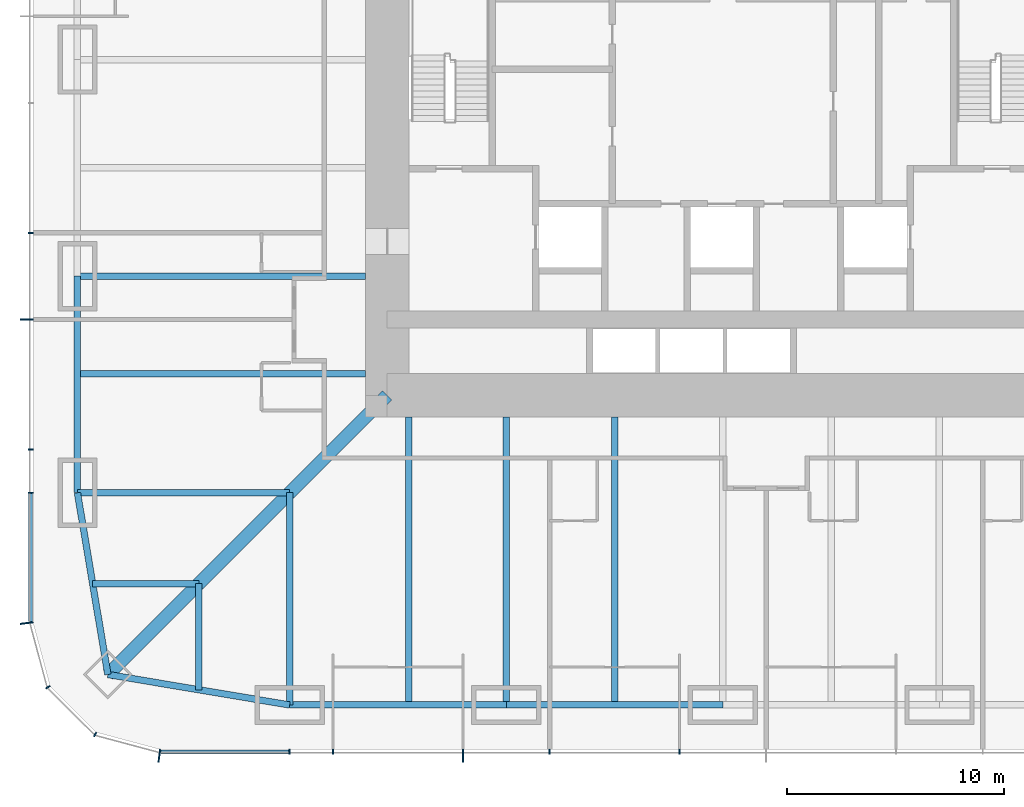
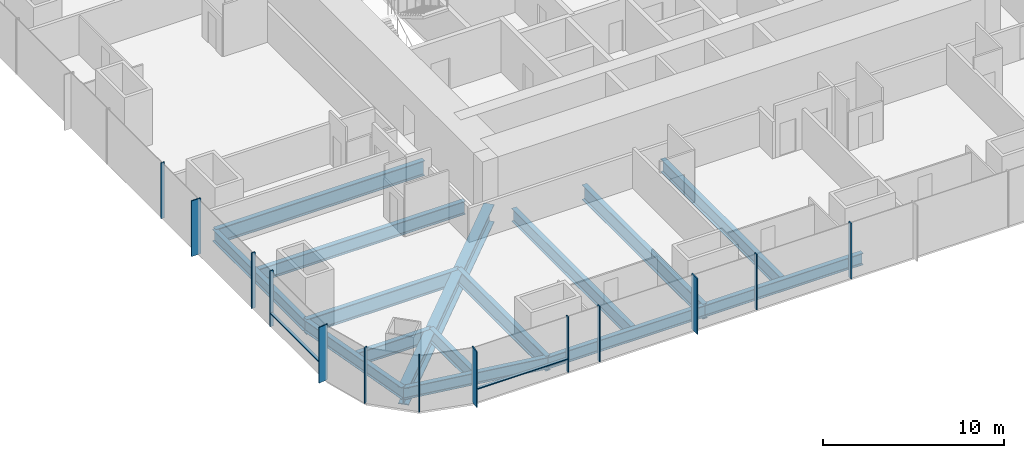
# One storey, part 2 of 20: 15 beams, 15 members, 3 elements without a shape of their own.
"""IFC4 building model written with IfcOpenShell, lengths in metres."""

from ifc_helpers import new_model, si_unit, direction, frame, origin, origin_2d, place, context, subcontext, project, spatial, rectangle, i_section, extrude, material, material_profile, profile_set, type_object, element, aggregate, save


model = new_model("IFC4")

# Units and contexts
model_context = context("Model", 3, precision=1e-05, world=origin(), true_north=direction((0.0, 1.0)))
body_context = subcontext(model_context, "Body", "Model", "MODEL_VIEW")
ifc_project = project(units=[si_unit("LENGTHUNIT", "METRE"), si_unit("AREAUNIT", "SQUARE_METRE"), si_unit("VOLUMEUNIT", "CUBIC_METRE"), si_unit("PLANEANGLEUNIT", "RADIAN"), si_unit("MASSUNIT", "GRAM", prefix="KILO")], contexts=[model_context])

# Site, building, storey
site_placement = place(None, origin())
site = spatial("IfcSite", under=ifc_project, at=site_placement, CompositionType="ELEMENT")
building_placement = place(site_placement, origin())
building = spatial("IfcBuilding", under=site, at=building_placement, Name="Khuree Lantern Residences", CompositionType="ELEMENT")
storey_placement = place(building_placement, frame((0.0, 0.0, 28.5)))
storey = spatial("IfcBuildingStorey", under=building, at=storey_placement, Name="L06", CompositionType="ELEMENT", Elevation=28.5)

# Beams
ifc_material_1 = material(Name="Steel S355", Category="steel")
ifc_material_profile_1 = material_profile(ifc_material_1, i_section(OverallWidth=0.300048828125, OverallDepth=0.889892578125, WebThickness=0.01611328125, FlangeThickness=0.030029296875, FilletRadius=0.030029296875, at=origin_2d()), Name="HE 900 A")
ifc_profile_set_1 = profile_set([ifc_material_profile_1], Name="Steel S355")
beam_type_1 = type_object("IfcBeamType", Name="B-11 SECONDARY BEAM HE 900 A", PredefinedType="BEAM", material=ifc_profile_set_1)
for number, where, z_axis, x_axis, name in (
    (1, (-5.0, -29.800048828125, -0.695068359375), (0.0, 1.0, 0.0), (-1.0, 0.0, 0.0), "Secondary beam S4"),
    (2, (-14.5, -29.800048828125, -0.695068359375), (0.0, 1.0, 0.0), (-1.0, 0.0, 0.0), "Secondary beam S5"),
):
    element("IfcBeam", number, at=place(storey_placement, frame(where, z_axis=z_axis, x_axis=x_axis)), inside=storey, type_object=beam_type_1, Name=name, PredefinedType="BEAM", context=body_context, shape_type="SweptSolid", body=[
        extrude(i_section(OverallWidth=0.300048828125, OverallDepth=0.889892578125, WebThickness=0.01611328125, FlangeThickness=0.030029296875, FilletRadius=0.030029296875, at=origin_2d()), origin(), (0.0, 0.0, 1.0), 13.300048828125),
    ])
for number, where, z_axis, x_axis, name in (
    (3, (-24.197021484375, -29.09716796875, -0.695068359375), (0.0, 1.0, 0.0), (-1.0, 0.0, 0.0), "Secondary beam S6"),
    (4, (-29.09716796875, -24.197021484375, -0.695068359375), (1.0, 0.0, 0.0), (0.0, 1.0, 0.0), "Secondary beam W1"),
):
    element("IfcBeam", number, at=place(storey_placement, frame(where, z_axis=z_axis, x_axis=x_axis)), inside=storey, type_object=beam_type_1, Name=name, PredefinedType="BEAM", context=body_context, shape_type="SweptSolid", body=[
        extrude(i_section(OverallWidth=0.300048828125, OverallDepth=0.889892578125, WebThickness=0.01611328125, FlangeThickness=0.030029296875, FilletRadius=0.030029296875, at=origin_2d()), origin(), (0.0, 0.0, 1.0), 4.900146484375),
    ])
beam_1_placement = place(storey_placement, frame((-29.800048828125, -14.5, -0.695068359375), z_axis=(1.0, 0.0, 0.0), x_axis=(0.0, 1.0, 0.0)))
element("IfcBeam", 5, at=beam_1_placement, inside=storey, type_object=beam_type_1, Name="Secondary beam W2", PredefinedType="BEAM", context=body_context, shape_type="SweptSolid", body=[
    extrude(i_section(OverallWidth=0.300048828125, OverallDepth=0.889892578125, WebThickness=0.01611328125, FlangeThickness=0.030029296875, FilletRadius=0.030029296875, at=origin_2d()), origin(), (0.0, 0.0, 1.0), 13.300048828125),
])
ifc_material_profile_2 = material_profile(ifc_material_1, i_section(OverallWidth=0.300048828125, OverallDepth=0.7900390625, WebThickness=0.014892578125, FlangeThickness=0.028076171875, FilletRadius=0.030029296875, at=origin_2d()), Name="HE 800 A")
ifc_profile_set_2 = profile_set([ifc_material_profile_2], Name="Steel S355")
beam_type_2 = type_object("IfcBeamType", Name="E-11 SPANDREL BEAM HE 800 A", PredefinedType="SPANDREL", material=ifc_profile_set_2)
for number, where, z_axis, x_axis, name in (
    (6, (0.0, -29.800048828125, -0.64501953125), (-1.0, 0.0, 0.0), (0.0, -1.0, 0.0), "Spandrel beam S4"),
    (7, (-10.0, -29.800048828125, -0.64501953125), (-1.0, 0.0, 0.0), (0.0, -1.0, 0.0), "Spandrel beam S5"),
):
    element("IfcBeam", number, at=place(storey_placement, frame(where, z_axis=z_axis, x_axis=x_axis)), inside=storey, type_object=beam_type_2, Name=name, PredefinedType="SPANDREL", context=body_context, shape_type="SweptSolid", body=[
        extrude(i_section(OverallWidth=0.300048828125, OverallDepth=0.7900390625, WebThickness=0.014892578125, FlangeThickness=0.028076171875, FilletRadius=0.030029296875, at=origin_2d()), origin(), (0.0, 0.0, 1.0), 10.0),
    ])
for number, where, z_axis, x_axis, name in (
    (8, (-20.0, -29.800048828125, -0.64501953125), (-0.986260251158, 0.165199022349, 0.0), (-0.165199022349, -0.986260251158, 0.0), "Spandrel beam S6"),
    (9, (-28.39404296875, -28.39404296875, -0.64501953125), (-0.165199022349, 0.986260251158, 0.0), (-0.986260251158, -0.165199022349, 0.0), "Spandrel beam W1"),
):
    element("IfcBeam", number, at=place(storey_placement, frame(where, z_axis=z_axis, x_axis=x_axis)), inside=storey, type_object=beam_type_2, Name=name, PredefinedType="SPANDREL", context=body_context, shape_type="SweptSolid", body=[
        extrude(i_section(OverallWidth=0.300048828125, OverallDepth=0.7900390625, WebThickness=0.014892578125, FlangeThickness=0.028076171875, FilletRadius=0.030029296875, at=origin_2d()), origin(), (0.0, 0.0, 1.0), 8.510986328125),
    ])
beam_2_placement = place(storey_placement, frame((-29.800048828125, -20.0, -0.64501953125), z_axis=(0.0, 1.0, 0.0), x_axis=(-1.0, 0.0, 0.0)))
element("IfcBeam", 10, at=beam_2_placement, inside=storey, type_object=beam_type_2, Name="Spandrel beam W2", PredefinedType="SPANDREL", context=body_context, shape_type="SweptSolid", body=[
    extrude(i_section(OverallWidth=0.300048828125, OverallDepth=0.7900390625, WebThickness=0.014892578125, FlangeThickness=0.028076171875, FilletRadius=0.030029296875, at=origin_2d()), origin(), (0.0, 0.0, 1.0), 10.0),
])

# Curtain wall, member
ifc_material_2 = material(Name="Bronze anodised aluminium", Category="aluminium")
curtain_wall_type_1 = type_object("IfcCurtainWallType", Name="CW-T1 TOWER FACE CURTAIN WALL", PredefinedType="USERDEFINED", material=ifc_material_2)
curtain_wall_1_placement = place(storey_placement, origin())
curtain_wall_1 = element("IfcCurtainWall", 11, at=curtain_wall_1_placement, inside=storey, type_object=curtain_wall_type_1, Name="L06 WEST FACE CURTAIN WALL", ObjectType="Stick-built curtain wall", PredefinedType="USERDEFINED")
ifc_material_profile_3 = material_profile(ifc_material_2, rectangle(XDim=0.06494140625, YDim=0.60009765625, at=origin_2d()), Name="F1 65X600")
ifc_profile_set_3 = profile_set([ifc_material_profile_3], Name="Bronze anodised aluminium")
member_type_1 = type_object("IfcMemberType", Name="F1 BRONZE FIN MULLION TOWER 65X600", PredefinedType="MULLION", material=ifc_profile_set_3)
member_1_placement = place(storey_placement, frame((-32.14990234375, -12.0, 0.0), z_axis=(0.0, 0.0, 1.0), x_axis=(0.0, -1.0, 0.0)))
member_1 = element("IfcMember", 12, at=member_1_placement, type_object=member_type_1, Name="L06 WEST FACE FIN MULLION 40", PredefinedType="MULLION", context=body_context, shape_type="SweptSolid", body=[
    extrude(rectangle(XDim=0.06494140625, YDim=0.60009765625, at=origin_2d()), origin(), (0.0, 0.0, 1.0), 3.75),
])

curtain_wall_type_2 = type_object("IfcCurtainWallType", Name="CW-T2 TOWER CORNER CURTAIN WALL", PredefinedType="USERDEFINED", material=ifc_material_2)
curtain_wall_2_placement = place(storey_placement, origin())
curtain_wall_2 = element("IfcCurtainWall", 13, at=curtain_wall_2_placement, inside=storey, type_object=curtain_wall_type_2, Name="L06 SOUTH-WEST CORNER CURTAIN WALL", ObjectType="Faceted corner curtain wall", PredefinedType="USERDEFINED")
member_2_placement = place(storey_placement, frame((-32.150146484375, -26.019775390625, 0.0), z_axis=(0.0, 0.0, 1.0), x_axis=(0.130526257387, -0.991444852794, 0.0)))
member_2 = element("IfcMember", 14, at=member_2_placement, type_object=member_type_1, Name="L06 SOUTH-WEST CORNER FIN MULLION 43", PredefinedType="MULLION", context=body_context, shape_type="SweptSolid", body=[
    extrude(rectangle(XDim=0.06494140625, YDim=0.60009765625, at=origin_2d()), origin(), (0.0, 0.0, 1.0), 3.75),
])

# Curtain wall, members
curtain_wall_3_placement = place(storey_placement, origin())
curtain_wall_3 = element("IfcCurtainWall", 15, at=curtain_wall_3_placement, inside=storey, type_object=curtain_wall_type_1, Name="L06 SOUTH FACE CURTAIN WALL", ObjectType="Stick-built curtain wall", PredefinedType="USERDEFINED")
member_3_placement = place(storey_placement, frame((-26.019775390625, -32.150146484375, 0.0), z_axis=(0.0, 0.0, 1.0), x_axis=(0.991444852794, -0.130526257387, 0.0)))
member_3 = element("IfcMember", 16, at=member_3_placement, type_object=member_type_1, Name="L06 SOUTH FACE FIN MULLION 46", PredefinedType="MULLION", context=body_context, shape_type="SweptSolid", body=[
    extrude(rectangle(XDim=0.06494140625, YDim=0.60009765625, at=origin_2d()), origin(), (0.0, 0.0, 1.0), 3.75),
])
member_4_placement = place(storey_placement, frame((-12.0, -32.14990234375, 0.0), z_axis=(0.0, 0.0, 1.0), x_axis=(1.0, 0.0, 0.0)))
member_4 = element("IfcMember", 17, at=member_4_placement, type_object=member_type_1, Name="L06 SOUTH FACE FIN MULLION 49", PredefinedType="MULLION", context=body_context, shape_type="SweptSolid", body=[
    extrude(rectangle(XDim=0.06494140625, YDim=0.60009765625, at=origin_2d()), origin(), (0.0, 0.0, 1.0), 3.75),
])

# Beams
ifc_material_profile_4 = material_profile(ifc_material_1, i_section(OverallWidth=0.302001953125, OverallDepth=1.008056640625, WebThickness=0.02099609375, FlangeThickness=0.0400390625, FilletRadius=0.030029296875, at=origin_2d()), Name="HE 1000 M")
ifc_profile_set_4 = profile_set([ifc_material_profile_4], Name="Steel S355")
beam_type_3 = type_object("IfcBeamType", Name="G-11 GIRDER HE 1000 M", PredefinedType="BEAM", material=ifc_profile_set_4)
beam_3_placement = place(storey_placement, frame((-10.0, -29.800048828125, -0.75390625), z_axis=(0.0, 1.0, 0.0), x_axis=(-1.0, 0.0, 0.0)))
element("IfcBeam", 18, at=beam_3_placement, inside=storey, type_object=beam_type_3, Name="Girder S4", PredefinedType="BEAM", context=body_context, shape_type="SweptSolid", body=[
    extrude(i_section(OverallWidth=0.302001953125, OverallDepth=1.008056640625, WebThickness=0.02099609375, FlangeThickness=0.0400390625, FilletRadius=0.030029296875, at=origin_2d()), origin(), (0.0, 0.0, 1.0), 13.300048828125),
])
for number, where, z_axis, x_axis, name in (
    (19, (-20.0, -29.800048828125, -0.75390625), (0.0, 1.0, 0.0), (-1.0, 0.0, 0.0), "Girder S5"),
    (20, (-29.800048828125, -20.0, -0.75390625), (1.0, 0.0, 0.0), (0.0, 1.0, 0.0), "Girder W1"),
):
    element("IfcBeam", number, at=place(storey_placement, frame(where, z_axis=z_axis, x_axis=x_axis)), inside=storey, type_object=beam_type_3, Name=name, PredefinedType="BEAM", context=body_context, shape_type="SweptSolid", body=[
        extrude(i_section(OverallWidth=0.302001953125, OverallDepth=1.008056640625, WebThickness=0.02099609375, FlangeThickness=0.0400390625, FilletRadius=0.030029296875, at=origin_2d()), origin(), (0.0, 0.0, 1.0), 9.800048828125),
    ])
beam_4_placement = place(storey_placement, frame((-29.800048828125, -10.0, -0.75390625), z_axis=(1.0, 0.0, 0.0), x_axis=(0.0, 1.0, 0.0)))
element("IfcBeam", 21, at=beam_4_placement, inside=storey, type_object=beam_type_3, Name="Girder W2", PredefinedType="BEAM", context=body_context, shape_type="SweptSolid", body=[
    extrude(i_section(OverallWidth=0.302001953125, OverallDepth=1.008056640625, WebThickness=0.02099609375, FlangeThickness=0.0400390625, FilletRadius=0.030029296875, at=origin_2d()), origin(), (0.0, 0.0, 1.0), 13.300048828125),
])
ifc_material_profile_5 = material_profile(ifc_material_1, i_section(OverallWidth=0.60009765625, OverallDepth=1.199951171875, WebThickness=0.030029296875, FlangeThickness=0.06005859375, at=origin_2d()), Name="WELDED I 1200X600X30X60")
ifc_profile_set_5 = profile_set([ifc_material_profile_5], Name="Steel S355")
beam_type_4 = type_object("IfcBeamType", Name="GD-11 CORNER GIRDER WELDED I 1200X600X30X60", PredefinedType="BEAM", material=ifc_profile_set_5)
beam_5_placement = place(storey_placement, frame((-28.39404296875, -28.39404296875, -0.85009765625), z_axis=(0.707106781187, 0.707106781187, 0.0), x_axis=(-0.707106781187, 0.707106781187, 0.0)))
element("IfcBeam", 22, at=beam_5_placement, inside=storey, type_object=beam_type_4, Name="Corner girder SW", PredefinedType="BEAM", context=body_context, shape_type="SweptSolid", body=[
    extrude(i_section(OverallWidth=0.60009765625, OverallDepth=1.199951171875, WebThickness=0.030029296875, FlangeThickness=0.06005859375, at=origin_2d()), origin(), (0.0, 0.0, 1.0), 18.23486328125),
])

# Member
ifc_material_profile_6 = material_profile(ifc_material_2, rectangle(XDim=0.06494140625, YDim=0.219970703125, at=origin_2d()), Name="M1 65X220")
ifc_profile_set_6 = profile_set([ifc_material_profile_6], Name="Bronze anodised aluminium")
member_type_2 = type_object("IfcMemberType", Name="M1 BRONZE MULLION TOWER 65X220", PredefinedType="MULLION", material=ifc_profile_set_6)
member_5_placement = place(storey_placement, frame((-31.9599609375, -8.0, 0.0), z_axis=(0.0, 0.0, 1.0), x_axis=(0.0, -1.0, 0.0)))
member_5 = element("IfcMember", 23, at=member_5_placement, type_object=member_type_2, Name="L06 WEST FACE MULLION 39", PredefinedType="MULLION", context=body_context, shape_type="SweptSolid", body=[
    extrude(rectangle(XDim=0.06494140625, YDim=0.219970703125, at=origin_2d()), origin(), (0.0, 0.0, 1.0), 3.75),
])

member_6_placement = place(storey_placement, frame((-31.9599609375, -18.0, 0.0), z_axis=(0.0, 0.0, 1.0), x_axis=(0.0, -1.0, 0.0)))
member_6 = element("IfcMember", 24, at=member_6_placement, type_object=member_type_2, Name="L06 WEST FACE MULLION 41", PredefinedType="MULLION", context=body_context, shape_type="SweptSolid", body=[
    extrude(rectangle(XDim=0.06494140625, YDim=0.219970703125, at=origin_2d()), origin(), (0.0, 0.0, 1.0), 3.75),
])

member_7_placement = place(storey_placement, frame((-31.9599609375, -20.0, 0.0), z_axis=(0.0, 0.0, 1.0), x_axis=(0.0, -1.0, 0.0)))
member_7 = element("IfcMember", 25, at=member_7_placement, type_object=member_type_2, Name="L06 WEST FACE MULLION 42", PredefinedType="MULLION", context=body_context, shape_type="SweptSolid", body=[
    extrude(rectangle(XDim=0.06494140625, YDim=0.219970703125, at=origin_2d()), origin(), (0.0, 0.0, 1.0), 3.75),
])

member_8_placement = place(storey_placement, frame((-31.16162109375, -28.97998046875, 0.0), z_axis=(0.0, 0.0, 1.0), x_axis=(0.500000056923, -0.86602537092, 0.0)))
member_8 = element("IfcMember", 26, at=member_8_placement, type_object=member_type_2, Name="L06 SOUTH-WEST CORNER MULLION 44", PredefinedType="MULLION", context=body_context, shape_type="SweptSolid", body=[
    extrude(rectangle(XDim=0.06494140625, YDim=0.219970703125, at=origin_2d()), origin(), (0.0, 0.0, 1.0), 3.75),
])

member_9_placement = place(storey_placement, frame((-28.97998046875, -31.16162109375, 0.0), z_axis=(0.0, 0.0, 1.0), x_axis=(0.86602537092, -0.500000056923, 0.0)))
member_9 = element("IfcMember", 27, at=member_9_placement, type_object=member_type_2, Name="L06 SOUTH-WEST CORNER MULLION 45", PredefinedType="MULLION", context=body_context, shape_type="SweptSolid", body=[
    extrude(rectangle(XDim=0.06494140625, YDim=0.219970703125, at=origin_2d()), origin(), (0.0, 0.0, 1.0), 3.75),
])

aggregate(curtain_wall_2, [member_2, member_8, member_9])

member_10_placement = place(storey_placement, frame((-20.0, -31.9599609375, 0.0), z_axis=(0.0, 0.0, 1.0), x_axis=(1.0, 0.0, 0.0)))
member_10 = element("IfcMember", 28, at=member_10_placement, type_object=member_type_2, Name="L06 SOUTH FACE MULLION 47", PredefinedType="MULLION", context=body_context, shape_type="SweptSolid", body=[
    extrude(rectangle(XDim=0.06494140625, YDim=0.219970703125, at=origin_2d()), origin(), (0.0, 0.0, 1.0), 3.75),
])

member_11_placement = place(storey_placement, frame((-18.0, -31.9599609375, 0.0), z_axis=(0.0, 0.0, 1.0), x_axis=(1.0, 0.0, 0.0)))
member_11 = element("IfcMember", 29, at=member_11_placement, type_object=member_type_2, Name="L06 SOUTH FACE MULLION 48", PredefinedType="MULLION", context=body_context, shape_type="SweptSolid", body=[
    extrude(rectangle(XDim=0.06494140625, YDim=0.219970703125, at=origin_2d()), origin(), (0.0, 0.0, 1.0), 3.75),
])

member_12_placement = place(storey_placement, frame((-8.0, -31.9599609375, 0.0), z_axis=(0.0, 0.0, 1.0), x_axis=(1.0, 0.0, 0.0)))
member_12 = element("IfcMember", 30, at=member_12_placement, type_object=member_type_2, Name="L06 SOUTH FACE MULLION 50", PredefinedType="MULLION", context=body_context, shape_type="SweptSolid", body=[
    extrude(rectangle(XDim=0.06494140625, YDim=0.219970703125, at=origin_2d()), origin(), (0.0, 0.0, 1.0), 3.75),
])

member_13_placement = place(storey_placement, frame((-2.0, -31.9599609375, 0.0), z_axis=(0.0, 0.0, 1.0), x_axis=(1.0, 0.0, 0.0)))
member_13 = element("IfcMember", 31, at=member_13_placement, type_object=member_type_2, Name="L06 SOUTH FACE MULLION 51", PredefinedType="MULLION", context=body_context, shape_type="SweptSolid", body=[
    extrude(rectangle(XDim=0.06494140625, YDim=0.219970703125, at=origin_2d()), origin(), (0.0, 0.0, 1.0), 3.75),
])

ifc_material_profile_7 = material_profile(ifc_material_2, rectangle(XDim=0.179931640625, YDim=0.06494140625, at=origin_2d()), Name="T1 180X65")
ifc_profile_set_7 = profile_set([ifc_material_profile_7], Name="Bronze anodised aluminium")
member_type_3 = type_object("IfcMemberType", Name="TRANSOM T1 TOWER 180X65", PredefinedType="USERDEFINED", material=ifc_profile_set_7)
member_14_placement = place(storey_placement, frame((-31.969970703125, -20.032470703125, 0.89990234375), z_axis=(0.0, -1.0, 0.0), x_axis=(1.0, 0.0, 0.0)))
member_14 = element("IfcMember", 32, at=member_14_placement, type_object=member_type_3, Name="L06 WEST FACE TRANSOM 42.1", ObjectType="Transom", PredefinedType="USERDEFINED", context=body_context, shape_type="SweptSolid", body=[
    extrude(rectangle(XDim=0.179931640625, YDim=0.06494140625, at=origin_2d()), origin(), (0.0, 0.0, 1.0), 5.9189453125),
])

aggregate(curtain_wall_1, [member_5, member_1, member_6, member_7, member_14])

member_15_placement = place(storey_placement, frame((-25.951416015625, -31.969970703125, 0.89990234375), z_axis=(1.0, 0.0, 0.0), x_axis=(0.0, 1.0, 0.0)))
member_15 = element("IfcMember", 33, at=member_15_placement, type_object=member_type_3, Name="L06 SOUTH FACE TRANSOM 46.1", ObjectType="Transom", PredefinedType="USERDEFINED", context=body_context, shape_type="SweptSolid", body=[
    extrude(rectangle(XDim=0.179931640625, YDim=0.06494140625, at=origin_2d()), origin(), (0.0, 0.0, 1.0), 5.9189453125),
])

aggregate(curtain_wall_3, [member_3, member_10, member_11, member_4, member_12, member_13, member_15])

save(model, "model.ifc")
